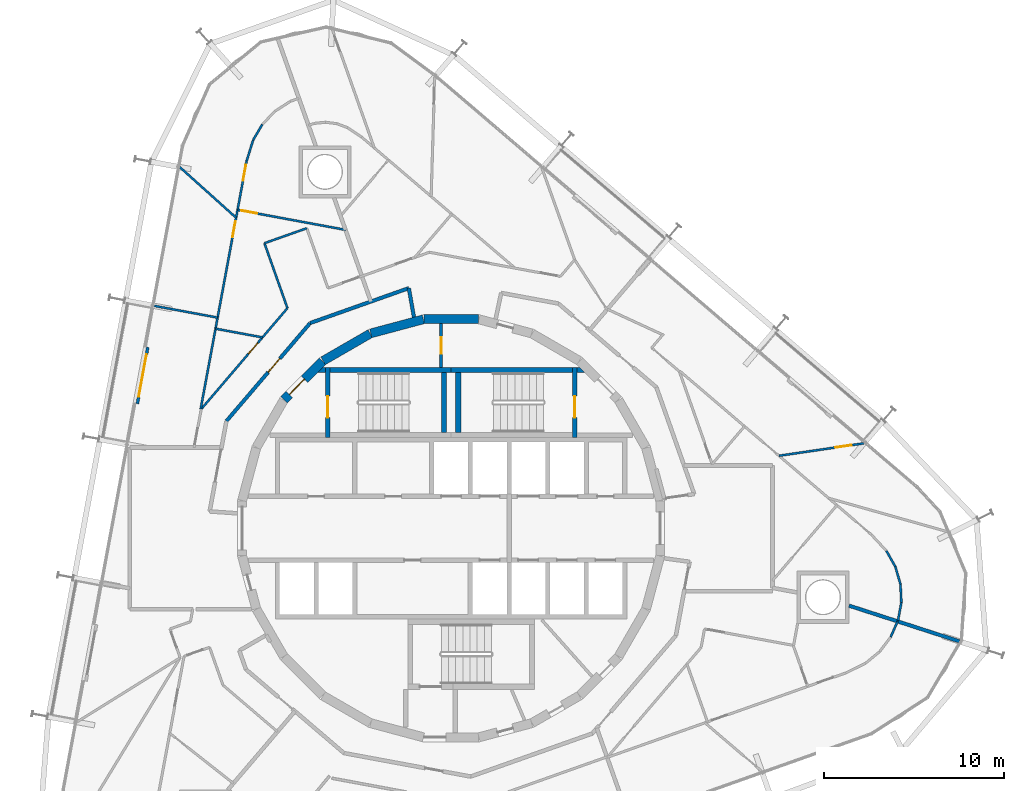
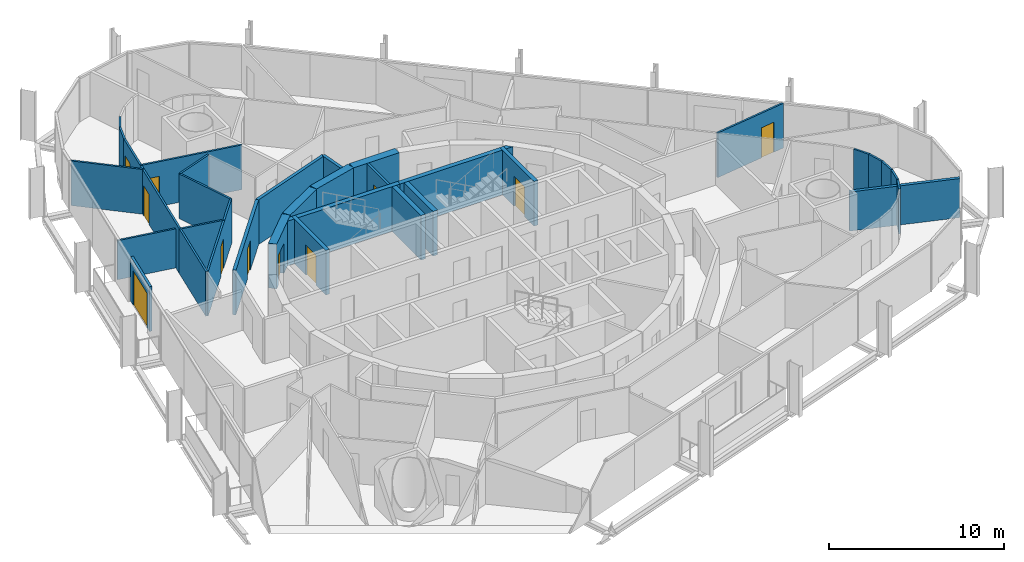
# One storey, part 14 of 17: 35 walls, 11 doors, 11 openings.
"""IFC4 building model written with IfcOpenShell, lengths in metres."""

from ifc_helpers import new_model, si_unit, direction, frame, frame_2d, origin, place, context, subcontext, project, spatial, polyline, rectangle, outline, extrude, material, layer, layer_set, type_object, element, fill, save


model = new_model("IFC4")

# Units and contexts
model_context = context("Model", 3, precision=1e-05, world=origin(), true_north=direction((0.0, 1.0)))
body_context = subcontext(model_context, "Body", "Model", "MODEL_VIEW")
ifc_project = project(units=[si_unit("LENGTHUNIT", "METRE"), si_unit("AREAUNIT", "SQUARE_METRE"), si_unit("VOLUMEUNIT", "CUBIC_METRE"), si_unit("PLANEANGLEUNIT", "RADIAN"), si_unit("MASSUNIT", "GRAM", prefix="KILO")], contexts=[model_context])

# Site, building, storey
site_placement = place(None, origin())
site = spatial("IfcSite", under=ifc_project, at=site_placement, CompositionType="ELEMENT")
building_placement = place(site_placement, origin())
building = spatial("IfcBuilding", under=site, at=building_placement, Name="Spindle Arch Residences", CompositionType="ELEMENT")
storey_placement = place(building_placement, frame((0.0, 0.0, 169.199951171875)))
storey = spatial("IfcBuildingStorey", under=building, at=storey_placement, Name="L42", CompositionType="ELEMENT", Elevation=169.199951171875)

# Walls
ifc_material_1 = material(Name="Concrete C50/60", Category="concrete")
ifc_layer_1 = layer(ifc_material_1, 0.5)
ifc_layer_set_1 = layer_set([ifc_layer_1], Name="Core outline wall 500")
wall_type_1 = type_object("IfcWallType", Name="Core outline wall 500", PredefinedType="SHEAR", material=ifc_layer_set_1)
for number, where, z_axis, x_axis, name in (
    (1, (1.516357421875, 11.647216796875, 0.0), (0.0, 0.0, 1.0), (-1.0, 0.0, 0.0), "Core outline wall 12"),
    (2, (-1.5498046875, 11.642822265625, 0.0), (0.0, 0.0, 1.0), (-0.965948410781, -0.258734743916, 0.0), "Core outline wall 13"),
    (3, (-4.510498046875, 10.84521484375, 0.0), (0.0, 0.0, 1.0), (-0.865975092491, -0.500087131594, 0.0), "Core outline wall 14"),
):
    element("IfcWall", number, at=place(storey_placement, frame(where, z_axis=z_axis, x_axis=x_axis)), inside=storey, type_object=wall_type_1, Name=name, PredefinedType="SHEAR", context=body_context, shape_type="SweptSolid", body=[
        extrude(rectangle(XDim=3.03271484375, YDim=0.5, at=frame_2d((1.516357421875, 0.0))), origin(), (0.0, 0.0, 1.0), 3.1201171875),
    ])

# Wall, opening, door
wall_1_placement = place(storey_placement, frame((-7.163818359375, 9.30810546875, 0.0), z_axis=(0.0, 0.0, 1.0), x_axis=(-0.707106781187, -0.707106781187, 0.0)))
wall_1 = element("IfcWall", 4, at=wall_1_placement, inside=storey, type_object=wall_type_1, Name="Core outline wall 15", PredefinedType="SHEAR", context=body_context, shape_type="SweptSolid", body=[
    extrude(rectangle(XDim=3.032470703125, YDim=0.5, at=frame_2d((1.51611328125, 0.0))), origin(), (0.0, 0.0, 1.0), 3.1201171875),
])
opening_1_placement = place(wall_1_placement, frame((1.416259765625, 0.0, 0.0)))
opening_1 = element("IfcOpeningElement", 5, at=opening_1_placement, cuts=wall_1, Name="Opening R4B1-AD02", PredefinedType="OPENING", context=body_context, shape_type="SweptSolid", body=[
    extrude(rectangle(XDim=1.199951171875, YDim=2.10009765625, at=frame_2d((0.60009765625, 1.050048828125))), frame((0.0, 0.260009765625, 0.0), z_axis=(0.0, -1.0, 0.0), x_axis=(1.0, 0.0, 0.0)), (0.0, 0.0, 1.0), 0.52001953125),
])
ifc_material_2 = material(Name="Steel, fire-resisting door", Category="steel")
door_type_1 = type_object("IfcDoorType", Name="Stair airlock door 1200x2100", OperationType="SINGLE_SWING_LEFT", PredefinedType="DOOR", material=ifc_material_2)
door_1_placement = place(opening_1_placement, origin())
door_1 = element("IfcDoor", 6, at=door_1_placement, inside=storey, type_object=door_type_1, Name="Stair airlock door R4B1-AD02", OperationType="SINGLE_SWING_RIGHT", OverallHeight=2.10009765625, OverallWidth=1.199951171875, PredefinedType="DOOR", context=body_context, shape_type="SweptSolid", body=[
    extrude(rectangle(XDim=1.199951171875, YDim=2.10009765625, at=frame_2d((0.60009765625, 1.050048828125))), frame((0.0, 0.02490234375, 0.0), z_axis=(0.0, -1.0, 0.0), x_axis=(1.0, 0.0, 0.0)), (0.0, 0.0, 1.0), 0.050048828125),
])
fill(opening_1, door_1)

# Walls
ifc_material_3 = material(Name="Calcium silicate block, plastered")
ifc_layer_2 = layer(ifc_material_3, 0.199951171875)
ifc_layer_set_2 = layer_set([ifc_layer_2], Name="Corridor wall 200")
wall_type_2 = type_object("IfcWallType", Name="Corridor wall 200", PredefinedType="STANDARD", material=ifc_layer_set_2)
wall_2_placement = place(storey_placement, frame((-2.07373046875, 11.76123046875, 0.0), z_axis=(0.0, 0.0, 1.0), x_axis=(-0.1736412798, 0.984808969267, 0.0)))
element("IfcWall", 7, at=wall_2_placement, inside=storey, type_object=wall_type_2, Name="Corridor wall R4B1-W009", PredefinedType="STANDARD", context=body_context, shape_type="SweptSolid", body=[
    extrude(rectangle(XDim=1.6435546875, YDim=0.199951171875, at=frame_2d((0.82177734375, 0.0))), origin(), (0.0, 0.0, 1.0), 3.1201171875),
])
wall_3_placement = place(storey_placement, frame((-2.359130859375, 13.3798828125, 0.0), z_axis=(0.0, 0.0, 1.0), x_axis=(-0.942647529236, -0.333789807551, 0.0)))
element("IfcWall", 8, at=wall_3_placement, inside=storey, type_object=wall_type_2, Name="Corridor wall R4B1-W010", PredefinedType="STANDARD", context=body_context, shape_type="SweptSolid", body=[
    extrude(rectangle(XDim=5.8330078125, YDim=0.199951171875, at=frame_2d((2.91650390625, 0.0))), origin(), (0.0, 0.0, 1.0), 3.1201171875),
])

# Wall, opening, door
wall_4_placement = place(storey_placement, frame((-7.857666015625, 11.432861328125, 0.0), z_axis=(0.0, 0.0, 1.0), x_axis=(-0.649440801937, -0.760412154545, 0.0)))
wall_4 = element("IfcWall", 9, at=wall_4_placement, inside=storey, type_object=wall_type_2, Name="Corridor wall R4B1-W011", PredefinedType="STANDARD", context=body_context, shape_type="SweptSolid", body=[
    extrude(rectangle(XDim=7.180908203125, YDim=0.199951171875, at=frame_2d((3.59033203125, 0.0))), origin(), (0.0, 0.0, 1.0), 3.1201171875),
])
opening_2_placement = place(wall_4_placement, frame((2.60009765625, 0.0, 0.0)))
opening_2 = element("IfcOpeningElement", 10, at=opening_2_placement, cuts=wall_4, Name="Opening R4B1-FD03", PredefinedType="OPENING", context=body_context, shape_type="SweptSolid", body=[
    extrude(rectangle(XDim=1.0, YDim=2.10009765625, at=frame_2d((0.5, 1.050048828125))), frame((0.0, 0.10986328125, 0.0), z_axis=(0.0, -1.0, 0.0), x_axis=(1.0, 0.0, 0.0)), (0.0, 0.0, 1.0), 0.219970703125),
])
ifc_material_4 = material(Name="Timber, fire-resisting door set", Category="wood")
door_type_2 = type_object("IfcDoorType", Name="Flat entrance door 1000x2100", OperationType="NOTDEFINED", PredefinedType="DOOR", material=ifc_material_4)
door_2_placement = place(opening_2_placement, origin())
door_2 = element("IfcDoor", 11, at=door_2_placement, inside=storey, type_object=door_type_2, Name="Flat entrance door R4B1-FD03", OperationType="SINGLE_SWING_LEFT", OverallHeight=2.10009765625, OverallWidth=1.0, PredefinedType="DOOR", context=body_context, shape_type="SweptSolid", body=[
    extrude(rectangle(XDim=1.0, YDim=2.10009765625, at=frame_2d((0.5, 1.050048828125))), frame((0.0, 0.02490234375, 0.0), z_axis=(0.0, -1.0, 0.0), x_axis=(1.0, 0.0, 0.0)), (0.0, 0.0, 1.0), 0.050048828125),
])
fill(opening_2, door_2)

ifc_material_5 = material(Name="Plasterboard on steel studs", Category="steel")
ifc_layer_3 = layer(ifc_material_5, 0.1201171875)
ifc_layer_set_3 = layer_set([ifc_layer_3], Name="Flat partition 120")
wall_type_3 = type_object("IfcWallType", Name="Flat partition 120", PredefinedType="PARTITIONING", material=ifc_layer_set_3)
wall_5_placement = place(storey_placement, frame((22.99365234375, 4.73388671875, 0.0), z_axis=(0.0, 0.0, 1.0), x_axis=(-0.989449286977, -0.144879634529, 0.0)))
wall_5 = element("IfcWall", 12, at=wall_5_placement, inside=storey, type_object=wall_type_3, Name="Flat partition R4B1-W046", PredefinedType="PARTITIONING", context=body_context, shape_type="SweptSolid", body=[
    extrude(rectangle(XDim=4.782470703125, YDim=0.1201171875, at=frame_2d((2.39111328125, 0.0))), origin(), (0.0, 0.0, 1.0), 3.1201171875),
])
opening_3_placement = place(wall_5_placement, frame((0.699951171875, 0.0, 0.0)))
opening_3 = element("IfcOpeningElement", 13, at=opening_3_placement, cuts=wall_5, Name="Opening R4B1-ID03", PredefinedType="OPENING", context=body_context, shape_type="SweptSolid", body=[
    extrude(rectangle(XDim=0.89990234375, YDim=2.10009765625, at=frame_2d((0.449951171875, 1.050048828125))), frame((0.0, 0.070068359375, 0.0), z_axis=(0.0, -1.0, 0.0), x_axis=(1.0, 0.0, 0.0)), (0.0, 0.0, 1.0), 0.14013671875),
])
ifc_material_6 = material(Name="Timber door set", Category="wood")
door_type_3 = type_object("IfcDoorType", Name="Room door 900x2100", OperationType="NOTDEFINED", PredefinedType="DOOR", material=ifc_material_6)
door_3_placement = place(opening_3_placement, origin())
door_3 = element("IfcDoor", 14, at=door_3_placement, inside=storey, type_object=door_type_3, Name="Room door R4B1-ID03", OperationType="SINGLE_SWING_LEFT", OverallHeight=2.10009765625, OverallWidth=0.89990234375, PredefinedType="DOOR", context=body_context, shape_type="SweptSolid", body=[
    extrude(rectangle(XDim=0.89990234375, YDim=2.10009765625, at=frame_2d((0.449951171875, 1.050048828125))), frame((0.0, 0.02490234375, 0.0), z_axis=(0.0, -1.0, 0.0), x_axis=(1.0, 0.0, 0.0)), (0.0, 0.0, 1.0), 0.050048828125),
])
fill(opening_3, door_3)

# Walls
for number, where, z_axis, x_axis, name in (
    (15, (24.893798828125, -5.130615234375, 0.0), (0.0, 0.0, 1.0), (0.182140887528, 0.983272442963, 0.0), "Flat partition R4B1-W048"),
    (16, (25.078857421875, -4.131591796875, 0.0), (0.0, 0.0, 1.0), (-0.049494233422, 0.998774409393, 0.0), "Flat partition R4B1-W049"),
):
    element("IfcWall", number, at=place(storey_placement, frame(where, z_axis=z_axis, x_axis=x_axis)), inside=storey, type_object=wall_type_3, Name=name, PredefinedType="PARTITIONING", context=body_context, shape_type="SweptSolid", body=[
        extrude(rectangle(XDim=1.01611328125, YDim=0.1201171875, at=frame_2d((0.508056640625, 0.0))), origin(), (0.0, 0.0, 1.0), 3.1201171875),
    ])
for number, where, z_axis, x_axis, name in (
    (17, (25.028564453125, -3.11669921875, 0.0), (0.0, 0.0, 1.0), (-0.278559922069, 0.96041885124, 0.0), "Flat partition R4B1-W050"),
    (18, (24.74560546875, -2.14111328125, 0.0), (0.0, 0.0, 1.0), (-0.492199796518, 0.870482257319, 0.0), "Flat partition R4B1-W051"),
):
    element("IfcWall", number, at=place(storey_placement, frame(where, z_axis=z_axis, x_axis=x_axis)), inside=storey, type_object=wall_type_3, Name=name, PredefinedType="PARTITIONING", context=body_context, shape_type="SweptSolid", body=[
        extrude(rectangle(XDim=1.015869140625, YDim=0.1201171875, at=frame_2d((0.5078125, 0.0))), origin(), (0.0, 0.0, 1.0), 3.1201171875),
    ])
wall_6_placement = place(storey_placement, frame((-8.045166015625, 16.71630859375, 0.0), z_axis=(0.0, 0.0, 1.0), x_axis=(-0.942640030216, -0.333810984592, 0.0)))
element("IfcWall", 19, at=wall_6_placement, inside=storey, type_object=wall_type_3, Name="Flat partition R4B1-W069", PredefinedType="PARTITIONING", context=body_context, shape_type="SweptSolid", body=[
    extrude(rectangle(XDim=2.499755859375, YDim=0.1201171875, at=frame_2d((1.25, 0.0))), origin(), (0.0, 0.0, 1.0), 3.1201171875),
])
wall_7_placement = place(storey_placement, frame((-10.401611328125, 15.8818359375, 0.0), z_axis=(0.0, 0.0, 1.0), x_axis=(0.33382476952, -0.942635148536, 0.0)))
element("IfcWall", 20, at=wall_7_placement, inside=storey, type_object=wall_type_3, Name="Flat partition R4B1-W070", PredefinedType="PARTITIONING", context=body_context, shape_type="SweptSolid", body=[
    extrude(rectangle(XDim=3.838134765625, YDim=0.1201171875, at=frame_2d((1.9189453125, 0.0))), origin(), (0.0, 0.0, 1.0), 3.1201171875),
])

# Wall, opening, door
wall_8_placement = place(storey_placement, frame((-9.120361328125, 12.263916015625, 0.0), z_axis=(0.0, 0.0, 1.0), x_axis=(-0.649444490942, -0.760409003882, 0.0)))
wall_8 = element("IfcWall", 21, at=wall_8_placement, inside=storey, type_object=wall_type_3, Name="Flat partition R4B1-W071", PredefinedType="PARTITIONING", context=body_context, shape_type="SweptSolid", body=[
    extrude(rectangle(XDim=7.394775390625, YDim=0.1201171875, at=frame_2d((3.697265625, 0.0))), origin(), (0.0, 0.0, 1.0), 3.1201171875),
])
opening_4_placement = place(wall_8_placement, frame((2.54150390625, 0.0, 0.0)))
opening_4 = element("IfcOpeningElement", 22, at=opening_4_placement, cuts=wall_8, Name="Opening R4B1-BD03", PredefinedType="OPENING", context=body_context, shape_type="SweptSolid", body=[
    extrude(rectangle(XDim=0.800048828125, YDim=2.10009765625, at=frame_2d((0.39990234375, 1.050048828125))), frame((0.0, 0.070068359375, 0.0), z_axis=(0.0, -1.0, 0.0), x_axis=(1.0, 0.0, 0.0)), (0.0, 0.0, 1.0), 0.14013671875),
])
ifc_material_7 = material(Name="Timber door set", Category="wood")
door_type_4 = type_object("IfcDoorType", Name="Bathroom door 800x2100", OperationType="NOTDEFINED", PredefinedType="DOOR", material=ifc_material_7)
door_4_placement = place(opening_4_placement, origin())
door_4 = element("IfcDoor", 23, at=door_4_placement, inside=storey, type_object=door_type_4, Name="Bathroom door R4B1-BD03", OperationType="SINGLE_SWING_LEFT", OverallHeight=2.10009765625, OverallWidth=0.800048828125, PredefinedType="DOOR", context=body_context, shape_type="SweptSolid", body=[
    extrude(rectangle(XDim=0.800048828125, YDim=2.10009765625, at=frame_2d((0.39990234375, 1.050048828125))), frame((0.0, 0.02490234375, 0.0), z_axis=(0.0, -1.0, 0.0), x_axis=(1.0, 0.0, 0.0)), (0.0, 0.0, 1.0), 0.050048828125),
])
fill(opening_4, door_4)

# Walls
wall_9_placement = place(storey_placement, frame((-13.955322265625, 6.64697265625, 0.0), z_axis=(0.0, 0.0, 1.0), x_axis=(0.182264522222, 0.983249532896, 0.0)))
element("IfcWall", 24, at=wall_9_placement, inside=storey, type_object=wall_type_3, Name="Flat partition R4B1-W073", PredefinedType="PARTITIONING", context=body_context, shape_type="SweptSolid", body=[
    extrude(rectangle(XDim=4.589111328125, YDim=0.1201171875, at=frame_2d((2.29443359375, 0.0))), origin(), (0.0, 0.0, 1.0), 3.1201171875),
])
wall_10_placement = place(storey_placement, frame((-10.518798828125, 22.501220703125, 0.0), z_axis=(0.0, 0.0, 1.0), x_axis=(-0.507198615628, -0.861829196712, 0.0)))
element("IfcWall", 25, at=wall_10_placement, inside=storey, type_object=wall_type_3, Name="Flat partition R4B1-W077", PredefinedType="PARTITIONING", context=body_context, shape_type="SweptSolid", body=[
    extrude(rectangle(XDim=1.01611328125, YDim=0.1201171875, at=frame_2d((0.508056640625, 0.0))), origin(), (0.0, 0.0, 1.0), 3.1201171875),
])
wall_11_placement = place(storey_placement, frame((-11.0341796875, 21.62548828125, 0.0), z_axis=(0.0, 0.0, 1.0), x_axis=(-0.295260042089, -0.955416928647, 0.0)))
element("IfcWall", 26, at=wall_11_placement, inside=storey, type_object=wall_type_3, Name="Flat partition R4B1-W078", PredefinedType="PARTITIONING", context=body_context, shape_type="SweptSolid", body=[
    extrude(rectangle(XDim=1.22705078125, YDim=0.1201171875, at=frame_2d((0.613525390625, 0.0))), origin(), (0.0, 0.0, 1.0), 3.1201171875),
])

# Wall, openings, doors
wall_12_placement = place(storey_placement, frame((-11.396484375, 20.453125, 0.0), z_axis=(0.0, 0.0, 1.0), x_axis=(-0.182223370439, -0.983257160292, 0.0)))
wall_12 = element("IfcWall", 27, at=wall_12_placement, inside=storey, type_object=wall_type_3, Name="Flat partition R4B1-W079", PredefinedType="PARTITIONING", context=body_context, shape_type="SweptSolid", body=[
    extrude(rectangle(XDim=9.4521484375, YDim=0.1201171875, at=frame_2d((4.72607421875, 0.0))), origin(), (0.0, 0.0, 1.0), 3.1201171875),
])
opening_5_placement = place(wall_12_placement, frame((3.405517578125, 0.0, 0.0)))
opening_5 = element("IfcOpeningElement", 28, at=opening_5_placement, cuts=wall_12, Name="Opening R4B1-ID15", PredefinedType="OPENING", context=body_context, shape_type="SweptSolid", body=[
    extrude(rectangle(XDim=0.89990234375, YDim=2.10009765625, at=frame_2d((0.449951171875, 1.050048828125))), frame((0.0, 0.070068359375, 0.0), z_axis=(0.0, -1.0, 0.0), x_axis=(1.0, 0.0, 0.0)), (0.0, 0.0, 1.0), 0.14013671875),
])
opening_6_placement = place(wall_12_placement, frame((0.199951171875, 0.0, 0.0)))
opening_6 = element("IfcOpeningElement", 29, at=opening_6_placement, cuts=wall_12, Name="Opening R4B1-ID16", PredefinedType="OPENING", context=body_context, shape_type="SweptSolid", body=[
    extrude(rectangle(XDim=0.89990234375, YDim=2.10009765625, at=frame_2d((0.449951171875, 1.050048828125))), frame((0.0, 0.070068359375, 0.0), z_axis=(0.0, -1.0, 0.0), x_axis=(1.0, 0.0, 0.0)), (0.0, 0.0, 1.0), 0.14013671875),
])
door_5_placement = place(opening_5_placement, origin())
door_5 = element("IfcDoor", 30, at=door_5_placement, inside=storey, type_object=door_type_3, Name="Room door R4B1-ID15", OperationType="SINGLE_SWING_LEFT", OverallHeight=2.10009765625, OverallWidth=0.89990234375, PredefinedType="DOOR", context=body_context, shape_type="SweptSolid", body=[
    extrude(rectangle(XDim=0.89990234375, YDim=2.10009765625, at=frame_2d((0.449951171875, 1.050048828125))), frame((0.0, 0.02490234375, 0.0), z_axis=(0.0, -1.0, 0.0), x_axis=(1.0, 0.0, 0.0)), (0.0, 0.0, 1.0), 0.050048828125),
])
fill(opening_5, door_5)
door_6_placement = place(opening_6_placement, origin())
door_6 = element("IfcDoor", 31, at=door_6_placement, inside=storey, type_object=door_type_3, Name="Room door R4B1-ID16", OperationType="SINGLE_SWING_LEFT", OverallHeight=2.10009765625, OverallWidth=0.89990234375, PredefinedType="DOOR", context=body_context, shape_type="SweptSolid", body=[
    extrude(rectangle(XDim=0.89990234375, YDim=2.10009765625, at=frame_2d((0.449951171875, 1.050048828125))), frame((0.0, 0.02490234375, 0.0), z_axis=(0.0, -1.0, 0.0), x_axis=(1.0, 0.0, 0.0)), (0.0, 0.0, 1.0), 0.050048828125),
])
fill(opening_6, door_6)

# Wall, opening, door
wall_13_placement = place(storey_placement, frame((-11.8994140625, 17.739990234375, 0.0), z_axis=(0.0, 0.0, 1.0), x_axis=(0.983254721409, -0.182236529889, 0.0)))
wall_13 = element("IfcWall", 32, at=wall_13_placement, inside=storey, type_object=wall_type_3, Name="Flat partition R4B1-W080", PredefinedType="PARTITIONING", context=body_context, shape_type="SweptSolid", body=[
    extrude(rectangle(XDim=6.1142578125, YDim=0.1201171875, at=frame_2d((3.05712890625, 0.0))), origin(), (0.0, 0.0, 1.0), 3.1201171875),
])
opening_7_placement = place(wall_13_placement, frame((0.199951171875, 0.0, 0.0)))
opening_7 = element("IfcOpeningElement", 33, at=opening_7_placement, cuts=wall_13, Name="Opening R4B1-ID14", PredefinedType="OPENING", context=body_context, shape_type="SweptSolid", body=[
    extrude(rectangle(XDim=0.89990234375, YDim=2.10009765625, at=frame_2d((0.449951171875, 1.050048828125))), frame((0.0, 0.070068359375, 0.0), z_axis=(0.0, -1.0, 0.0), x_axis=(1.0, 0.0, 0.0)), (0.0, 0.0, 1.0), 0.14013671875),
])
door_7_placement = place(opening_7_placement, origin())
door_7 = element("IfcDoor", 34, at=door_7_placement, inside=storey, type_object=door_type_3, Name="Room door R4B1-ID14", OperationType="SINGLE_SWING_LEFT", OverallHeight=2.10009765625, OverallWidth=0.89990234375, PredefinedType="DOOR", context=body_context, shape_type="SweptSolid", body=[
    extrude(rectangle(XDim=0.89990234375, YDim=2.10009765625, at=frame_2d((0.449951171875, 1.050048828125))), frame((0.0, 0.02490234375, 0.0), z_axis=(0.0, -1.0, 0.0), x_axis=(1.0, 0.0, 0.0)), (0.0, 0.0, 1.0), 0.050048828125),
])
fill(opening_7, door_7)

# Walls
wall_14_placement = place(storey_placement, frame((-15.119140625, 20.122314453125, 0.0), z_axis=(0.0, 0.0, 1.0), x_axis=(0.743711124749, -0.668501131581, 0.0)))
element("IfcWall", 35, at=wall_14_placement, inside=storey, type_object=wall_type_3, Name="Flat partition R4B1-W081", PredefinedType="PARTITIONING", context=body_context, shape_type="SweptSolid", body=[
    extrude(rectangle(XDim=4.219970703125, YDim=0.1201171875, at=frame_2d((2.10986328125, 0.0))), origin(), (0.0, 0.0, 1.0), 3.1201171875),
])
wall_15_placement = place(storey_placement, frame((-13.126220703125, 11.1201171875, 0.0), z_axis=(0.0, 0.0, 1.0), x_axis=(0.983257646361, -0.182220747645, 0.0)))
element("IfcWall", 36, at=wall_15_placement, inside=storey, type_object=wall_type_3, Name="Flat partition R4B1-W082", PredefinedType="PARTITIONING", context=body_context, shape_type="SweptSolid", body=[
    extrude(rectangle(XDim=2.659423828125, YDim=0.1201171875, at=frame_2d((1.32958984375, 0.0))), origin(), (0.0, 0.0, 1.0), 3.1201171875),
])
wall_16_placement = place(storey_placement, frame((24.8701171875, -5.18408203125, 0.0), z_axis=(0.0, 0.0, 1.0), x_axis=(-0.404173771344, -0.914682219439, 0.0)))
element("IfcWall", 37, at=wall_16_placement, inside=storey, type_object=wall_type_3, Name="Flat partition R4B1-W121", PredefinedType="PARTITIONING", context=body_context, shape_type="SweptSolid", body=[
    extrude(rectangle(XDim=0.95751953125, YDim=0.1201171875, at=frame_2d((0.478759765625, 0.0))), origin(), (0.0, 0.0, 1.0), 3.1201171875),
])
ifc_material_8 = material(Name="Plasterboard on steel studs", Category="steel")
ifc_layer_4 = layer(ifc_material_8, 0.1201171875)
ifc_layer_set_4 = layer_set([ifc_layer_4], Name="Flat partition 120 under beam 2730")
wall_type_4 = type_object("IfcWallType", Name="Flat partition 120 under beam 2730", PredefinedType="PARTITIONING", material=ifc_layer_set_4)
wall_17_placement = place(storey_placement, frame((-16.551513671875, 12.393798828125, 0.0), z_axis=(0.0, 0.0, 1.0), x_axis=(0.983257712156, -0.182220392618, 0.0)))
element("IfcWall", 38, at=wall_17_placement, inside=storey, type_object=wall_type_4, Name="Flat partition R4B1-W083", PredefinedType="PARTITIONING", context=body_context, shape_type="SweptSolid", body=[
    extrude(rectangle(XDim=3.60009765625, YDim=0.1201171875, at=frame_2d((1.800048828125, 0.0))), origin(), (0.0, 0.0, 1.0), 2.72998046875),
])
ifc_material_9 = material(Name="Calcium silicate block, plastered")
ifc_layer_5 = layer(ifc_material_9, 0.199951171875)
ifc_layer_set_5 = layer_set([ifc_layer_5], Name="Flat party wall 200 under beam 2730")
wall_type_5 = type_object("IfcWallType", Name="Flat party wall 200 under beam 2730", PredefinedType="STANDARD", material=ifc_layer_set_5)
wall_18_placement = place(storey_placement, frame((22.1630859375, -4.30810546875, 0.0), z_axis=(0.0, 0.0, 1.0), x_axis=(0.951422718769, -0.307887658426, 0.0)))
element("IfcWall", 39, at=wall_18_placement, inside=storey, type_object=wall_type_5, Name="Flat party wall R4B1-W030", PredefinedType="STANDARD", context=body_context, shape_type="SweptSolid", body=[
    extrude(rectangle(XDim=6.464111328125, YDim=0.199951171875, at=frame_2d((3.23193359375, 0.0))), origin(), (0.0, 0.0, 1.0), 2.72998046875),
])

# Wall, opening, door
ifc_material_10 = material(Name="Non-combustible mineral wool insulated aluminium faced external wall (K0)", Category="aluminium")
ifc_layer_6 = layer(ifc_material_10, 0.159912109375)
ifc_layer_set_6 = layer_set([ifc_layer_6], Name="Insulated external wall panel 160")
wall_type_6 = type_object("IfcWallType", Name="Insulated external wall panel 160", PredefinedType="STANDARD", material=ifc_layer_set_6)
wall_19_placement = place(storey_placement, frame((-16.8974609375, 10.08837890625, 0.0), z_axis=(0.0, 0.0, 1.0), x_axis=(-0.18226136951, -0.983250117307, 0.0)))
wall_19 = element("IfcWall", 40, at=wall_19_placement, inside=storey, type_object=wall_type_6, Name="External wall L42 bay 14", PredefinedType="STANDARD", context=body_context, shape_type="SweptSolid", body=[
    extrude(rectangle(XDim=3.2001953125, YDim=0.159912109375, at=frame_2d((1.60009765625, 0.0))), origin(), (0.0, 0.0, 1.0), 3.1201171875),
])
opening_8_placement = place(wall_19_placement, frame((0.39990234375, 0.0, 0.0)))
opening_8 = element("IfcOpeningElement", 41, at=opening_8_placement, cuts=wall_19, Name="Opening BD14", PredefinedType="OPENING", context=body_context, shape_type="SweptSolid", body=[
    extrude(rectangle(XDim=2.39990234375, YDim=2.39990234375, at=frame_2d((1.199951171875, 1.199951171875))), frame((0.0, 0.08984375, 0.0), z_axis=(0.0, -1.0, 0.0), x_axis=(1.0, 0.0, 0.0)), (0.0, 0.0, 1.0), 0.179931640625),
])
ifc_material_11 = material(Name="Bronze aluminium frame, tinted double glazing", Category="aluminium")
door_type_5 = type_object("IfcDoorType", Name="Sliding glazed balcony door 2400x2400", OperationType="DOUBLE_DOOR_SLIDING", PredefinedType="DOOR", material=ifc_material_11)
door_8_placement = place(opening_8_placement, origin())
door_8 = element("IfcDoor", 42, at=door_8_placement, inside=storey, type_object=door_type_5, Name="Balcony door BD14", OperationType="DOUBLE_DOOR_SLIDING", OverallHeight=2.39990234375, OverallWidth=2.39990234375, PredefinedType="DOOR", context=body_context, shape_type="SweptSolid", body=[
    extrude(rectangle(XDim=2.39990234375, YDim=2.39990234375, at=frame_2d((1.199951171875, 1.199951171875))), frame((0.0, 0.02490234375, 0.0), z_axis=(0.0, -1.0, 0.0), x_axis=(1.0, 0.0, 0.0)), (0.0, 0.0, 1.0), 0.050048828125),
])
fill(opening_8, door_8)

ifc_material_12 = material(Name="Concrete C25/30", Category="concrete")
ifc_layer_7 = layer(ifc_material_12, 0.14990234375)
ifc_layer_set_7 = layer_set([ifc_layer_7], Name="Service room partition 150")
wall_type_7 = type_object("IfcWallType", Name="Service room partition 150", PredefinedType="PARTITIONING", material=ifc_layer_set_7)
wall_20_placement = place(storey_placement, frame((-0.5615234375, 8.969970703125, 0.0), z_axis=(0.0, 0.0, 1.0), x_axis=(0.0, 1.0, 0.0)))
wall_20 = element("IfcWall", 43, at=wall_20_placement, inside=storey, type_object=wall_type_7, Name="Core service room partition", PredefinedType="PARTITIONING", context=body_context, shape_type="SweptSolid", body=[
    extrude(rectangle(XDim=2.42724609375, YDim=0.14990234375, at=frame_2d((1.213623046875, 0.0))), origin(), (0.0, 0.0, 1.0), 3.1201171875),
])
opening_9_placement = place(wall_20_placement, frame((0.763671875, 0.0, 0.0)))
opening_9 = element("IfcOpeningElement", 44, at=opening_9_placement, cuts=wall_20, Name="Opening R4B1-WD05", PredefinedType="OPENING", context=body_context, shape_type="SweptSolid", body=[
    extrude(rectangle(XDim=0.89990234375, YDim=2.10009765625, at=frame_2d((0.449951171875, 1.050048828125))), frame((0.0, 0.0849609375, 0.0), z_axis=(0.0, -1.0, 0.0), x_axis=(1.0, 0.0, 0.0)), (0.0, 0.0, 1.0), 0.169921875),
])
ifc_material_13 = material(Name="Steel, fire-resisting door", Category="steel")
door_type_6 = type_object("IfcDoorType", Name="Service room door 900x2100", OperationType="SINGLE_SWING_LEFT", PredefinedType="DOOR", material=ifc_material_13)
door_9_placement = place(opening_9_placement, origin())
door_9 = element("IfcDoor", 45, at=door_9_placement, inside=storey, type_object=door_type_6, Name="Service room door R4B1-WD05", OperationType="SINGLE_SWING_LEFT", OverallHeight=2.10009765625, OverallWidth=0.89990234375, PredefinedType="DOOR", context=body_context, shape_type="SweptSolid", body=[
    extrude(rectangle(XDim=0.89990234375, YDim=2.10009765625, at=frame_2d((0.449951171875, 1.050048828125))), frame((0.0, 0.02490234375, 0.0), z_axis=(0.0, -1.0, 0.0), x_axis=(1.0, 0.0, 0.0)), (0.0, 0.0, 1.0), 0.050048828125),
])
fill(opening_9, door_9)

# Walls
ifc_material_14 = material(Name="Concrete C40/50", Category="concrete")
wall_type_8 = type_object("IfcWallType", Name="Stair airlock wall profile", PredefinedType="SHEAR", material=ifc_material_14)
wall_21_placement = place(storey_placement, origin())
element("IfcWall", 46, at=wall_21_placement, inside=storey, type_object=wall_type_8, Name="Stair ST-1 airlock wall N", PredefinedType="SHEAR", context=body_context, shape_type="SweptSolid", body=[
    extrude(outline(polyline([(7.4482421875, 8.669921875), (7.0, 8.669921875), (7.0, 8.969970703125), (7.148193359375, 8.969970703125), (7.4482421875, 8.669921875)])), origin(), (0.0, 0.0, 1.0), 3.1201171875),
])
wall_22_placement = place(storey_placement, origin())
element("IfcWall", 47, at=wall_22_placement, inside=storey, type_object=wall_type_8, Name="Stair ST-2 airlock wall N", PredefinedType="SHEAR", context=body_context, shape_type="SweptSolid", body=[
    extrude(outline(polyline([(-7.148193359375, 8.969970703125), (-7.0, 8.969970703125), (-7.0, 8.669921875), (-7.4482421875, 8.669921875), (-7.148193359375, 8.969970703125)])), origin(), (0.0, 0.0, 1.0), 3.1201171875),
])

# Wall, opening, door
ifc_material_15 = material(Name="Concrete C50/60", Category="concrete")
ifc_layer_8 = layer(ifc_material_15, 0.25)
ifc_layer_set_8 = layer_set([ifc_layer_8], Name="Stair enclosure wall 250")
wall_type_9 = type_object("IfcWallType", Name="Stair enclosure wall 250", PredefinedType="SHEAR", material=ifc_layer_set_8)
wall_23_placement = place(storey_placement, frame((6.875, 5.050048828125, 0.0), z_axis=(0.0, 0.0, 1.0), x_axis=(0.0, 1.0, 0.0)))
wall_23 = element("IfcWall", 48, at=wall_23_placement, inside=storey, type_object=wall_type_9, Name="Stair ST-1 door wall", PredefinedType="SHEAR", context=body_context, shape_type="SweptSolid", body=[
    extrude(rectangle(XDim=3.919921875, YDim=0.25, at=frame_2d((1.9599609375, 0.0))), origin(), (0.0, 0.0, 1.0), 3.1201171875),
])
opening_10_placement = place(wall_23_placement, frame((1.110107421875, 0.0, 0.0)))
opening_10 = element("IfcOpeningElement", 49, at=opening_10_placement, cuts=wall_23, Name="Opening R4B1-SD01", PredefinedType="OPENING", context=body_context, shape_type="SweptSolid", body=[
    extrude(rectangle(XDim=1.199951171875, YDim=2.10009765625, at=frame_2d((0.60009765625, 1.050048828125))), frame((0.0, 0.135009765625, 0.0), z_axis=(0.0, -1.0, 0.0), x_axis=(1.0, 0.0, 0.0)), (0.0, 0.0, 1.0), 0.27001953125),
])
ifc_material_16 = material(Name="Steel, fire-resisting door", Category="steel")
door_type_7 = type_object("IfcDoorType", Name="Stair door 1200x2100", OperationType="SINGLE_SWING_RIGHT", PredefinedType="DOOR", material=ifc_material_16)
door_10_placement = place(opening_10_placement, origin())
door_10 = element("IfcDoor", 50, at=door_10_placement, inside=storey, type_object=door_type_7, Name="Stair door R4B1-SD01", OperationType="SINGLE_SWING_LEFT", OverallHeight=2.10009765625, OverallWidth=1.199951171875, PredefinedType="DOOR", context=body_context, shape_type="SweptSolid", body=[
    extrude(rectangle(XDim=1.199951171875, YDim=2.10009765625, at=frame_2d((0.60009765625, 1.050048828125))), frame((0.0, 0.02490234375, 0.0), z_axis=(0.0, -1.0, 0.0), x_axis=(1.0, 0.0, 0.0)), (0.0, 0.0, 1.0), 0.050048828125),
])
fill(opening_10, door_10)

wall_24_placement = place(storey_placement, frame((-6.875, 8.969970703125, 0.0), z_axis=(0.0, 0.0, 1.0), x_axis=(0.0, -1.0, 0.0)))
wall_24 = element("IfcWall", 51, at=wall_24_placement, inside=storey, type_object=wall_type_9, Name="Stair ST-2 door wall", PredefinedType="SHEAR", context=body_context, shape_type="SweptSolid", body=[
    extrude(rectangle(XDim=3.919921875, YDim=0.25, at=frame_2d((1.9599609375, 0.0))), origin(), (0.0, 0.0, 1.0), 3.1201171875),
])
opening_11_placement = place(wall_24_placement, frame((1.610107421875, 0.0, 0.0)))
opening_11 = element("IfcOpeningElement", 52, at=opening_11_placement, cuts=wall_24, Name="Opening R4B1-SD02", PredefinedType="OPENING", context=body_context, shape_type="SweptSolid", body=[
    extrude(rectangle(XDim=1.199951171875, YDim=2.10009765625, at=frame_2d((0.60009765625, 1.050048828125))), frame((0.0, 0.135009765625, 0.0), z_axis=(0.0, -1.0, 0.0), x_axis=(1.0, 0.0, 0.0)), (0.0, 0.0, 1.0), 0.27001953125),
])
door_11_placement = place(opening_11_placement, origin())
door_11 = element("IfcDoor", 53, at=door_11_placement, inside=storey, type_object=door_type_7, Name="Stair door R4B1-SD02", OperationType="SINGLE_SWING_LEFT", OverallHeight=2.10009765625, OverallWidth=1.199951171875, PredefinedType="DOOR", context=body_context, shape_type="SweptSolid", body=[
    extrude(rectangle(XDim=1.199951171875, YDim=2.10009765625, at=frame_2d((0.60009765625, 1.050048828125))), frame((0.0, 0.02490234375, 0.0), z_axis=(0.0, -1.0, 0.0), x_axis=(1.0, 0.0, 0.0)), (0.0, 0.0, 1.0), 0.050048828125),
])
fill(opening_11, door_11)

# Walls
ifc_material_17 = material(Name="Concrete C50/60", Category="concrete")
ifc_layer_9 = layer(ifc_material_17, 0.300048828125)
ifc_layer_set_9 = layer_set([ifc_layer_9], Name="Stair enclosure wall 300")
wall_type_10 = type_object("IfcWallType", Name="Stair enclosure wall 300", PredefinedType="SHEAR", material=ifc_layer_set_9)
wall_25_placement = place(storey_placement, frame((0.0, 8.820068359375, 0.0), z_axis=(0.0, 0.0, 1.0), x_axis=(1.0, 0.0, 0.0)))
element("IfcWall", 54, at=wall_25_placement, inside=storey, type_object=wall_type_10, Name="Stair ST-1 enclosure wall N", PredefinedType="SHEAR", context=body_context, shape_type="SweptSolid", body=[
    extrude(rectangle(XDim=6.75, YDim=0.300048828125, at=frame_2d((3.375, 0.0))), origin(), (0.0, 0.0, 1.0), 3.1201171875),
])
wall_26_placement = place(storey_placement, frame((0.39990234375, 5.35009765625, 0.0), z_axis=(0.0, 0.0, 1.0), x_axis=(0.0, 1.0, 0.0)))
element("IfcWall", 55, at=wall_26_placement, inside=storey, type_object=wall_type_10, Name="Stair ST-1 enclosure wall F", PredefinedType="SHEAR", context=body_context, shape_type="SweptSolid", body=[
    extrude(rectangle(XDim=3.31982421875, YDim=0.300048828125, at=frame_2d((1.659912109375, 0.0))), origin(), (0.0, 0.0, 1.0), 3.1201171875),
])
wall_27_placement = place(storey_placement, frame((-6.75, 8.820068359375, 0.0), z_axis=(0.0, 0.0, 1.0), x_axis=(1.0, 0.0, 0.0)))
element("IfcWall", 56, at=wall_27_placement, inside=storey, type_object=wall_type_10, Name="Stair ST-2 enclosure wall N", PredefinedType="SHEAR", context=body_context, shape_type="SweptSolid", body=[
    extrude(rectangle(XDim=6.75, YDim=0.300048828125, at=frame_2d((3.375, 0.0))), origin(), (0.0, 0.0, 1.0), 3.1201171875),
])
wall_28_placement = place(storey_placement, frame((-0.39990234375, 5.35009765625, 0.0), z_axis=(0.0, 0.0, 1.0), x_axis=(0.0, 1.0, 0.0)))
element("IfcWall", 57, at=wall_28_placement, inside=storey, type_object=wall_type_10, Name="Stair ST-2 enclosure wall F", PredefinedType="SHEAR", context=body_context, shape_type="SweptSolid", body=[
    extrude(rectangle(XDim=3.31982421875, YDim=0.300048828125, at=frame_2d((1.659912109375, 0.0))), origin(), (0.0, 0.0, 1.0), 3.1201171875),
])

save(model, "model.ifc")
